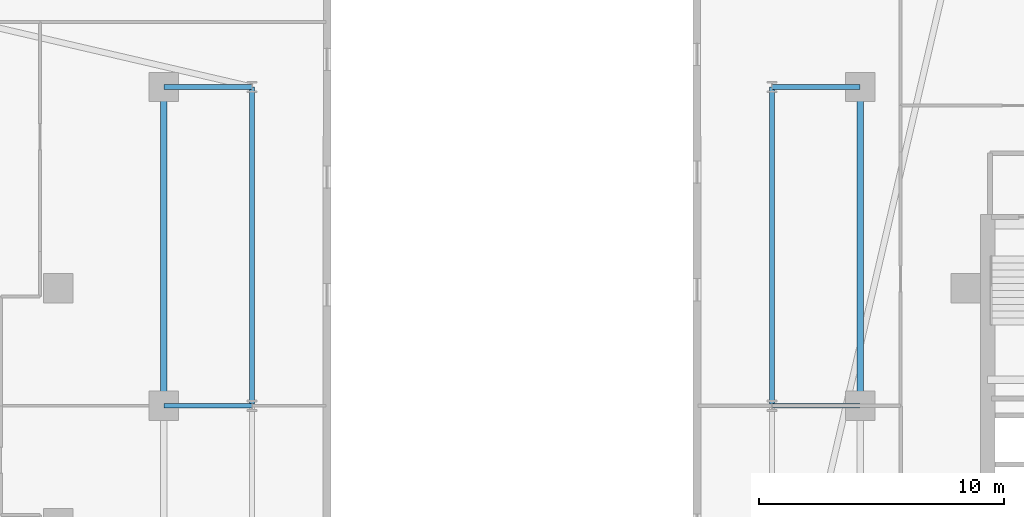
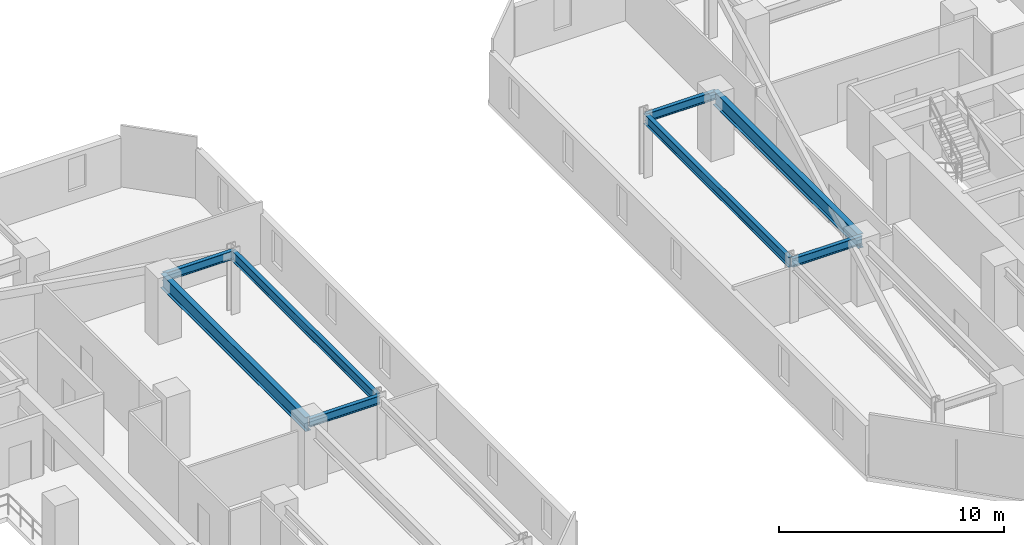
# One storey, part 7 of 30: 8 beams.
"""IFC4 building model written with IfcOpenShell, lengths in metres."""

from ifc_helpers import new_model, si_unit, direction, frame, origin, origin_2d, place, context, subcontext, project, spatial, i_section, extrude, material, material_profile, profile_set, type_object, element, save


model = new_model("IFC4")

# Units and contexts
model_context = context("Model", 3, precision=1e-05, world=origin(), true_north=direction((0.0, 1.0)))
body_context = subcontext(model_context, "Body", "Model", "MODEL_VIEW")
ifc_project = project(units=[si_unit("LENGTHUNIT", "METRE"), si_unit("AREAUNIT", "SQUARE_METRE"), si_unit("VOLUMEUNIT", "CUBIC_METRE"), si_unit("PLANEANGLEUNIT", "RADIAN"), si_unit("MASSUNIT", "GRAM", prefix="KILO")], contexts=[model_context])

# Site, building, storey
site_placement = place(None, origin())
site = spatial("IfcSite", under=ifc_project, at=site_placement, CompositionType="ELEMENT")
building_placement = place(site_placement, origin())
building = spatial("IfcBuilding", under=site, at=building_placement, Name="Thornwick Lancets Civic Towers", CompositionType="ELEMENT")
storey_placement = place(building_placement, frame((0.0, 0.0, 80.10009765625)))
storey = spatial("IfcBuildingStorey", under=building, at=storey_placement, Name="L20", CompositionType="ELEMENT", Elevation=80.10009765625)

# Beams
ifc_material = material(Name="Steel S355JR", Category="steel")
ifc_material_profile_1 = material_profile(ifc_material, i_section(OverallWidth=0.2119140625, OverallDepth=0.54443359375, WebThickness=0.0126953125, FlangeThickness=0.021240234375, FilletRadius=0.0126953125, at=origin_2d()), Name="UKB 533x210x122")
ifc_profile_set_1 = profile_set([ifc_material_profile_1], Name="Steel S355JR")
beam_type_1 = type_object("IfcBeamType", Name="BM_EDGE_533_122", PredefinedType="SPANDREL", material=ifc_profile_set_1)
for number, where, z_axis, x_axis, name in (
    (1, (46.39990234375, 27.080078125, 3.087646484375), (0.0, 1.0, 0.0), (-1.0, 0.0, 0.0), "BM-EDGE-L20-A-S1-2"),
    (2, (67.60009765625, 27.080078125, 3.087646484375), (0.0, 1.0, 0.0), (-1.0, 0.0, 0.0), "BM-EDGE-L20-B-S2-2"),
):
    element("IfcBeam", number, at=place(storey_placement, frame(where, z_axis=z_axis, x_axis=x_axis)), inside=storey, type_object=beam_type_1, Name=name, PredefinedType="SPANDREL", context=body_context, shape_type="SweptSolid", body=[
        extrude(i_section(OverallWidth=0.2119140625, OverallDepth=0.54443359375, WebThickness=0.0126953125, FlangeThickness=0.021240234375, FilletRadius=0.0126953125, at=origin_2d()), origin(), (0.0, 0.0, 1.0), 12.919921875),
    ])
ifc_material_profile_2 = material_profile(ifc_material, i_section(OverallWidth=0.26806640625, OverallDepth=0.769775390625, WebThickness=0.015625, FlangeThickness=0.025390625, FilletRadius=0.0166015625, at=origin_2d()), Name="UKB 762x267x197")
ifc_profile_set_2 = profile_set([ifc_material_profile_2], Name="Steel S355JR")
beam_type_2 = type_object("IfcBeamType", Name="BM_GIRD_762_197", PredefinedType="BEAM", material=ifc_profile_set_2)
for number, where, z_axis, x_axis, name in (
    (3, (42.800048828125, 27.080078125, 2.97509765625), (0.0, 1.0, 0.0), (-1.0, 0.0, 0.0), "BM-SPINE-L20-A-4-5"),
    (4, (71.199951171875, 27.080078125, 2.97509765625), (0.0, 1.0, 0.0), (-1.0, 0.0, 0.0), "BM-SPINE-L20-B-7-8"),
):
    element("IfcBeam", number, at=place(storey_placement, frame(where, z_axis=z_axis, x_axis=x_axis)), inside=storey, type_object=beam_type_2, Name=name, PredefinedType="BEAM", context=body_context, shape_type="SweptSolid", body=[
        extrude(i_section(OverallWidth=0.26806640625, OverallDepth=0.769775390625, WebThickness=0.015625, FlangeThickness=0.025390625, FilletRadius=0.0166015625, at=origin_2d()), origin(), (0.0, 0.0, 1.0), 12.919921875),
    ])
ifc_material_profile_3 = material_profile(ifc_material, i_section(OverallWidth=0.19189453125, OverallDepth=0.46337890625, WebThickness=0.010498046875, FlangeThickness=0.017578125, FilletRadius=0.01025390625, at=origin_2d()), Name="UKB 457x191x89")
ifc_profile_set_3 = profile_set([ifc_material_profile_3], Name="Steel S355JR")
beam_type_3 = type_object("IfcBeamType", Name="BM_JOIST_457_89", PredefinedType="JOIST", material=ifc_profile_set_3)
for number, where, z_axis, x_axis, name in (
    (5, (42.800048828125, 27.0, 3.128173828125), (1.0, 0.0, 0.0), (0.0, 1.0, 0.0), "BM-RAD-L20-A05"),
    (6, (42.800048828125, 40.0, 3.128173828125), (1.0, 0.0, 0.0), (0.0, 1.0, 0.0), "BM-RAD-L20-A06"),
    (7, (71.199951171875, 27.0, 3.128173828125), (-1.0, 0.0, 0.0), (0.0, -1.0, 0.0), "BM-RAD-L20-B08"),
    (8, (71.199951171875, 40.0, 3.128173828125), (-1.0, 0.0, 0.0), (0.0, -1.0, 0.0), "BM-RAD-L20-B09"),
):
    element("IfcBeam", number, at=place(storey_placement, frame(where, z_axis=z_axis, x_axis=x_axis)), inside=storey, type_object=beam_type_3, Name=name, PredefinedType="JOIST", context=body_context, shape_type="SweptSolid", body=[
        extrude(i_section(OverallWidth=0.19189453125, OverallDepth=0.46337890625, WebThickness=0.010498046875, FlangeThickness=0.017578125, FilletRadius=0.01025390625, at=origin_2d()), origin(), (0.0, 0.0, 1.0), 3.599853515625),
    ])

save(model, "model.ifc")
